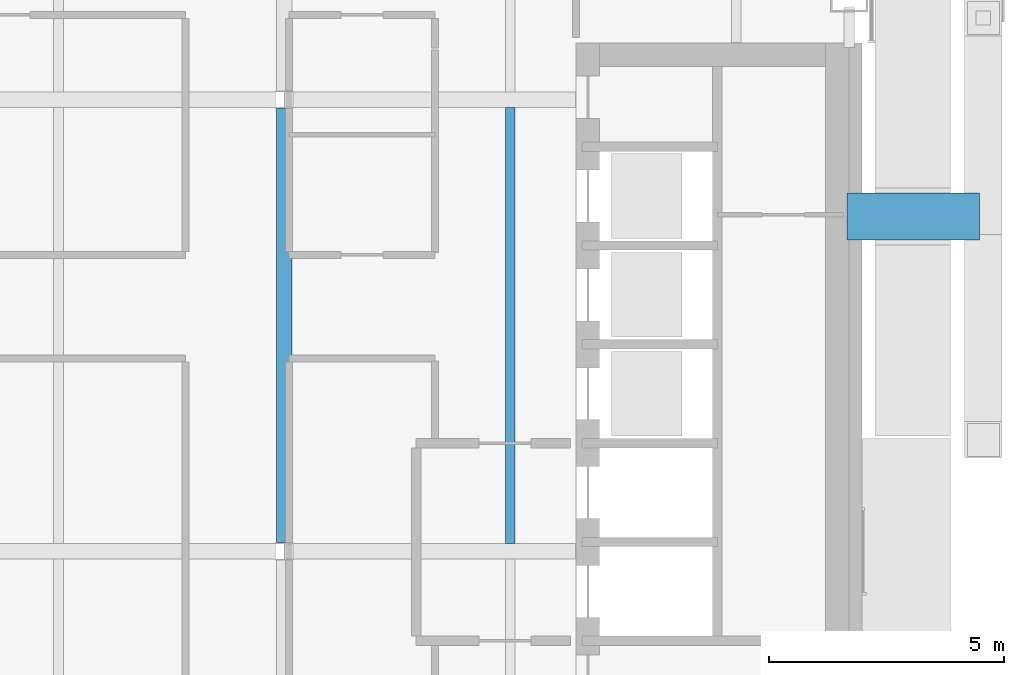
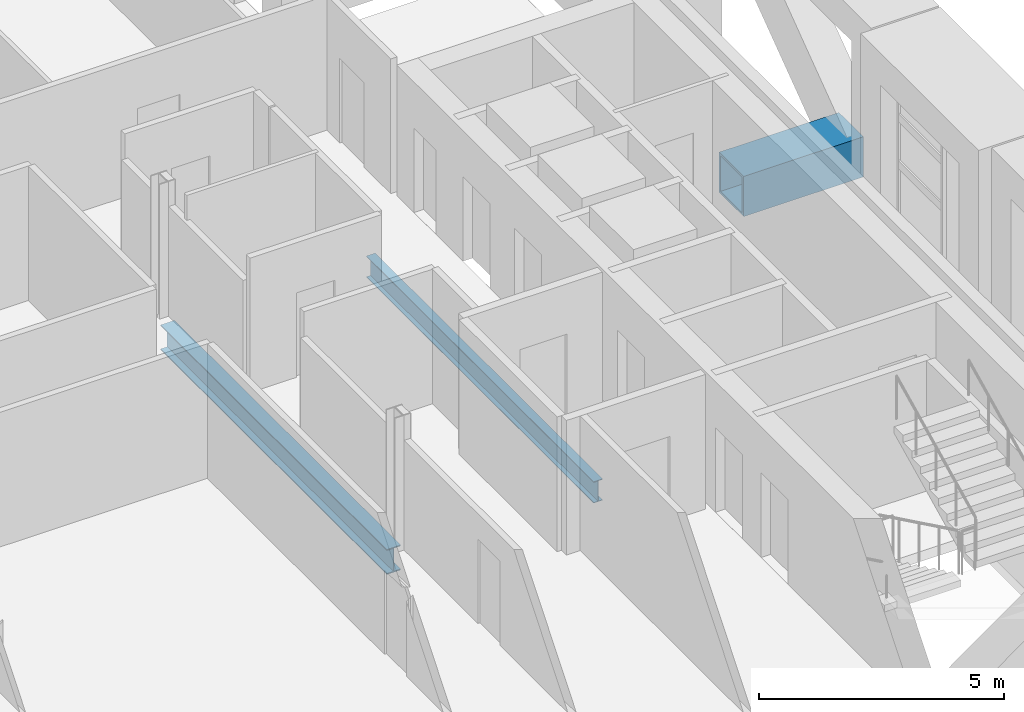
# One storey, part 7 of 22: 3 beams.
"""IFC4 building model written with IfcOpenShell, lengths in metres."""

from ifc_helpers import new_model, si_unit, direction, frame, origin, origin_2d, place, context, subcontext, project, spatial, hollow_rectangle, i_section, extrude, material, material_profile, profile_set, type_object, element, save


model = new_model("IFC4")

# Units and contexts
model_context = context("Model", 3, precision=1e-05, world=origin(), true_north=direction((0.0, 1.0)))
body_context = subcontext(model_context, "Body", "Model", "MODEL_VIEW")
ifc_project = project(units=[si_unit("LENGTHUNIT", "METRE"), si_unit("AREAUNIT", "SQUARE_METRE"), si_unit("VOLUMEUNIT", "CUBIC_METRE"), si_unit("PLANEANGLEUNIT", "RADIAN"), si_unit("MASSUNIT", "GRAM", prefix="KILO")], contexts=[model_context])

# Site, building, storey
site_placement = place(None, origin())
site = spatial("IfcSite", under=ifc_project, at=site_placement, CompositionType="ELEMENT")
building_placement = place(site_placement, origin())
building = spatial("IfcBuilding", under=site, at=building_placement, Name="Cobrizo Arcos Hotel Tower", CompositionType="ELEMENT")
storey_placement = place(building_placement, frame((0.0, 0.0, 176.0)))
storey = spatial("IfcBuildingStorey", under=building, at=storey_placement, Name="L45", CompositionType="ELEMENT", Elevation=176.0)

# Beams
ifc_material_1 = material(Name="Steel ASTM A572 Grade 50", Category="steel")
ifc_material_profile_1 = material_profile(ifc_material_1, hollow_rectangle(XDim=1.0, YDim=1.0, WallThickness=0.06005859375, at=origin_2d()), Name="BOX 1000X1000X60")
ifc_profile_set_1 = profile_set([ifc_material_profile_1], Name="Steel ASTM A572 Grade 50")
beam_type_1 = type_object("IfcBeamType", Name="BOX 1000X1000X60 brace connector strut", PredefinedType="BEAM", material=ifc_profile_set_1)
beam_1_placement = place(storey_placement, frame((21.550048828125, 7.1142578125, 0.5), z_axis=(1.0, 0.0, 0.0), x_axis=(0.0, 1.0, 0.0)))
element("IfcBeam", 1, at=beam_1_placement, inside=storey, type_object=beam_type_1, Name="Perimeter brace stub BS1, zone Z3, east face, offset +7.11 m, L45", PredefinedType="BEAM", context=body_context, shape_type="SweptSolid", body=[
    extrude(hollow_rectangle(XDim=1.0, YDim=1.0, WallThickness=0.06005859375, at=origin_2d()), origin(), (0.0, 0.0, 1.0), 2.820068359375),
])
ifc_material_2 = material(Name="Steel ASTM A992 Grade 50", Category="steel")
ifc_material_profile_2 = material_profile(ifc_material_2, i_section(OverallWidth=0.209228515625, OverallDepth=0.533447265625, WebThickness=0.01025390625, FlangeThickness=0.015625, at=origin_2d()), Name="W21X62")
ifc_profile_set_2 = profile_set([ifc_material_profile_2], Name="Steel ASTM A992 Grade 50")
beam_type_2 = type_object("IfcBeamType", Name="W21X62 joist", PredefinedType="JOIST", material=ifc_profile_set_2)
beam_2_placement = place(storey_placement, frame((14.39990234375, 0.163818359375, -0.416748046875), z_axis=(0.0, 1.0, 0.0), x_axis=(-1.0, 0.0, 0.0)))
element("IfcBeam", 2, at=beam_2_placement, inside=storey, type_object=beam_type_2, Name="Floor joist J1, L45, no. 017", PredefinedType="JOIST", context=body_context, shape_type="SweptSolid", body=[
    extrude(i_section(OverallWidth=0.209228515625, OverallDepth=0.533447265625, WebThickness=0.01025390625, FlangeThickness=0.015625, at=origin_2d()), origin(), (0.0, 0.0, 1.0), 9.272216796875),
])
ifc_material_profile_3 = material_profile(ifc_material_2, i_section(OverallWidth=0.32763671875, OverallDepth=0.622314453125, WebThickness=0.015380859375, FlangeThickness=0.0244140625, at=origin_2d()), Name="W24X131")
ifc_profile_set_3 = profile_set([ifc_material_profile_3], Name="Steel ASTM A992 Grade 50")
beam_type_3 = type_object("IfcBeamType", Name="W24X131 girder", PredefinedType="BEAM", material=ifc_profile_set_3)
beam_3_placement = place(storey_placement, frame((9.60009765625, 0.186767578125, -0.461181640625), z_axis=(0.0, 1.0, 0.0), x_axis=(-1.0, 0.0, 0.0)))
element("IfcBeam", 3, at=beam_3_placement, inside=storey, type_object=beam_type_3, Name="Floor girder G1, L45, no. 023", PredefinedType="BEAM", context=body_context, shape_type="SweptSolid", body=[
    extrude(i_section(OverallWidth=0.32763671875, OverallDepth=0.622314453125, WebThickness=0.015380859375, FlangeThickness=0.0244140625, at=origin_2d()), origin(), (0.0, 0.0, 1.0), 9.2265625),
])

save(model, "model.ifc")
